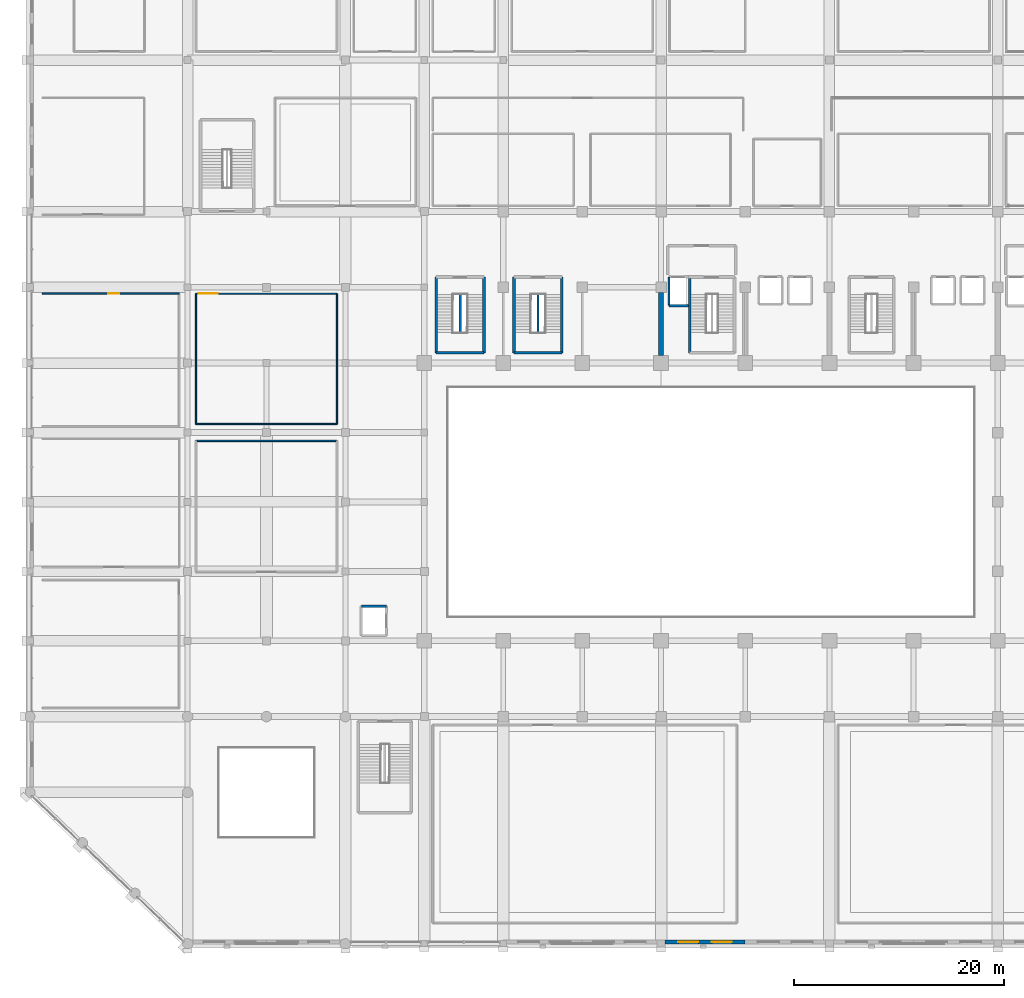
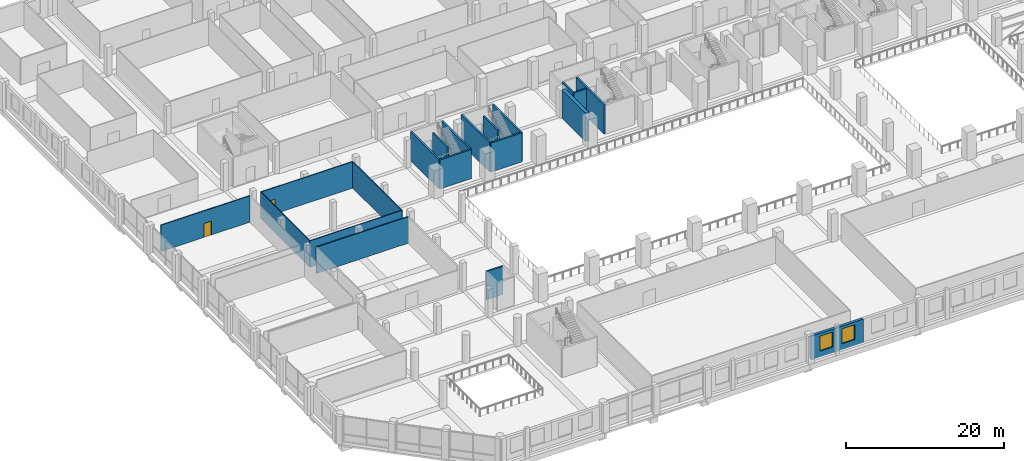
# One storey, part 41 of 64: 20 walls, 2 doors, 2 windows, 4 openings.
"""IFC4 building model written with IfcOpenShell, lengths in metres."""

from ifc_helpers import new_model, si_unit, direction, frame, frame_2d, origin, place, context, subcontext, project, spatial, rectangle, extrude, material, layer, layer_set, type_object, element, fill, save


model = new_model("IFC4")

# Units and contexts
model_context = context("Model", 3, precision=1e-05, world=origin(), true_north=direction((0.0, 1.0)))
body_context = subcontext(model_context, "Body", "Model", "MODEL_VIEW")
ifc_project = project(units=[si_unit("LENGTHUNIT", "METRE"), si_unit("AREAUNIT", "SQUARE_METRE"), si_unit("VOLUMEUNIT", "CUBIC_METRE"), si_unit("PLANEANGLEUNIT", "RADIAN"), si_unit("MASSUNIT", "GRAM", prefix="KILO")], contexts=[model_context])

# Site, building, storey
site_placement = place(None, origin())
site = spatial("IfcSite", under=ifc_project, at=site_placement, CompositionType="ELEMENT")
building_placement = place(site_placement, origin())
building = spatial("IfcBuilding", under=site, at=building_placement, Name="Akrevak Sports Hall", CompositionType="ELEMENT")
storey_placement = place(building_placement, frame((0.0, 0.0, 4.60009765625)))
storey = spatial("IfcBuildingStorey", under=building, at=storey_placement, Name="L01", CompositionType="ELEMENT", Elevation=4.60009765625)

# Wall, openings, windows
ifc_material_1 = material(Name="Limestone Ashlar", Category="stone")
ifc_layer_1 = layer(ifc_material_1, 0.080078125, Name="Limestone Ashlar")
ifc_material_2 = material(Name="Mineral Wool Thermal Insulation", Category="insulation")
ifc_layer_2 = layer(ifc_material_2, 0.10009765625, Name="Mineral Wool Thermal Insulation")
ifc_material_3 = material(Name="Concrete C40/50", Category="concrete")
ifc_layer_3 = layer(ifc_material_3, 0.199951171875, Name="Concrete C40/50")
ifc_layer_set_1 = layer_set([ifc_layer_1, ifc_layer_2, ifc_layer_3], Name="Limestone Ashlar / Mineral Wool Thermal Insulation / Concrete C40/50")
wall_type_1 = type_object("IfcWallType", Name="ARC-WL-EXT-380", PredefinedType="SOLIDWALL", material=ifc_layer_set_1)
wall_1_placement = place(storey_placement, frame((60.375, 0.18994140625, 0.0), z_axis=(0.0, 0.0, 1.0), x_axis=(1.0, 0.0, 0.0)))
wall_1 = element("IfcWall", 1, at=wall_1_placement, inside=storey, type_object=wall_type_1, Name="Exterior Limestone Wall L01-S07", PredefinedType="SOLIDWALL", context=body_context, shape_type="SweptSolid", body=[
    extrude(rectangle(XDim=7.625, YDim=0.3798828125, at=frame_2d((3.8125, 0.0))), origin(), (0.0, 0.0, 1.0), 3.64990234375),
])
opening_1_placement = place(wall_1_placement, frame((1.26123046875, 0.0, 0.919921875)))
opening_1 = element("IfcOpeningElement", 2, at=opening_1_placement, cuts=wall_1, Name="Opening WN-30", PredefinedType="OPENING", context=body_context, shape_type="SweptSolid", body=[
    extrude(rectangle(XDim=1.89990234375, YDim=2.300048828125, at=frame_2d((0.949951171875, 1.14990234375))), frame((0.0, 0.201904296875, 0.0), z_axis=(0.0, -1.0, 0.0), x_axis=(1.0, 0.0, 0.0)), (0.0, 0.0, 1.0), 0.40380859375),
])
opening_2_placement = place(wall_1_placement, frame((4.463623046875, 0.0, 0.919921875)))
opening_2 = element("IfcOpeningElement", 3, at=opening_2_placement, cuts=wall_1, Name="Opening WN-30", PredefinedType="OPENING", context=body_context, shape_type="SweptSolid", body=[
    extrude(rectangle(XDim=1.89990234375, YDim=2.300048828125, at=frame_2d((0.949951171875, 1.14990234375))), frame((0.0, 0.201904296875, 0.0), z_axis=(0.0, -1.0, 0.0), x_axis=(1.0, 0.0, 0.0)), (0.0, 0.0, 1.0), 0.40380859375),
])
ifc_material_4 = material(Name="Thermally Broken Bronze Frame & Double Low-E Glass", Category="glass")
window_type = type_object("IfcWindowType", Name="ARC-WIN-SZ-1900x2300", PartitioningType="SINGLE_PANEL", PredefinedType="WINDOW", material=ifc_material_4)
window_1_placement = place(opening_1_placement, origin())
window_1 = element("IfcWindow", 4, at=window_1_placement, inside=storey, type_object=window_type, Name="Beaux-Arts Facade Window WIN-L01-S07-1", OverallHeight=2.300048828125, OverallWidth=1.89990234375, PartitioningType="SINGLE_PANEL", PredefinedType="WINDOW", context=body_context, shape_type="SweptSolid", body=[
    extrude(rectangle(XDim=1.89990234375, YDim=2.300048828125, at=frame_2d((0.949951171875, 1.14990234375))), frame((0.0, 0.030029296875, 0.0), z_axis=(0.0, -1.0, 0.0), x_axis=(1.0, 0.0, 0.0)), (0.0, 0.0, 1.0), 0.06005859375),
])
fill(opening_1, window_1)
window_2_placement = place(opening_2_placement, origin())
window_2 = element("IfcWindow", 5, at=window_2_placement, inside=storey, type_object=window_type, Name="Beaux-Arts Facade Window WIN-L01-S07-2", OverallHeight=2.300048828125, OverallWidth=1.89990234375, PartitioningType="SINGLE_PANEL", PredefinedType="WINDOW", context=body_context, shape_type="SweptSolid", body=[
    extrude(rectangle(XDim=1.89990234375, YDim=2.300048828125, at=frame_2d((0.949951171875, 1.14990234375))), frame((0.0, 0.030029296875, 0.0), z_axis=(0.0, -1.0, 0.0), x_axis=(1.0, 0.0, 0.0)), (0.0, 0.0, 1.0), 0.06005859375),
])
fill(opening_2, window_2)

# Wall
ifc_material_5 = material(Name="Standard Metal Stud Partition", Category="gypsum")
ifc_layer_4 = layer(ifc_material_5, 0.1201171875, Name="Standard Metal Stud Partition")
ifc_layer_set_2 = layer_set([ifc_layer_4], Name="Standard Metal Stud Partition")
wall_type_2 = type_object("IfcWallType", Name="ARC-WL-PRT-120", PredefinedType="PARTITIONING", material=ifc_layer_set_2)
wall_2_placement = place(storey_placement, frame((15.800048828125, 49.39990234375, 0.0), z_axis=(0.0, 0.0, 1.0), x_axis=(1.0, 0.0, 0.0)))
element("IfcWall", 6, at=wall_2_placement, inside=storey, type_object=wall_type_2, Name="Interior Partition West Wing Apparatus Storage L01 (S)", PredefinedType="PARTITIONING", context=body_context, shape_type="SweptSolid", body=[
    extrude(rectangle(XDim=13.39990234375, YDim=0.1201171875, at=frame_2d((6.699951171875, 0.0))), origin(), (0.0, 0.0, 1.0), 4.079833984375),
])

# Wall, opening, door
wall_3_placement = place(storey_placement, frame((15.800048828125, 61.800048828125, 0.0), z_axis=(0.0, 0.0, 1.0), x_axis=(1.0, 0.0, 0.0)))
wall_3 = element("IfcWall", 7, at=wall_3_placement, inside=storey, type_object=wall_type_2, Name="Interior Partition West Wing Apparatus Storage L01 (N)", PredefinedType="PARTITIONING", context=body_context, shape_type="SweptSolid", body=[
    extrude(rectangle(XDim=13.39990234375, YDim=0.1201171875, at=frame_2d((6.699951171875, 0.0))), origin(), (0.0, 0.0, 1.0), 4.079833984375),
])
opening_3_placement = place(wall_3_placement, frame((0.25, 0.0, 0.0)))
opening_3 = element("IfcOpeningElement", 8, at=opening_3_placement, cuts=wall_3, Name="Opening ID-02", PredefinedType="OPENING", context=body_context, shape_type="SweptSolid", body=[
    extrude(rectangle(XDim=1.800048828125, YDim=2.25, at=frame_2d((0.89990234375, 1.125))), frame((0.0, 0.072021484375, 0.0), z_axis=(0.0, -1.0, 0.0), x_axis=(1.0, 0.0, 0.0)), (0.0, 0.0, 1.0), 0.14404296875),
])
ifc_material_6 = material(Name="Hardwood Oak & Safety Glass", Category="wood")
door_type_1 = type_object("IfcDoorType", Name="ARC-DR-HALL-180x225", OperationType="DOUBLE_DOOR_SINGLE_SWING", PredefinedType="DOOR", material=ifc_material_6)
door_1_placement = place(opening_3_placement, origin())
door_1 = element("IfcDoor", 9, at=door_1_placement, inside=storey, type_object=door_type_1, Name="Door to West Wing Apparatus Storage L01", OperationType="DOUBLE_DOOR_SINGLE_SWING", OverallHeight=2.25, OverallWidth=1.800048828125, PredefinedType="DOOR", context=body_context, shape_type="SweptSolid", body=[
    extrude(rectangle(XDim=1.800048828125, YDim=2.25, at=frame_2d((0.89990234375, 1.125))), frame((0.0, 0.02490234375, 0.0), z_axis=(0.0, -1.0, 0.0), x_axis=(1.0, 0.0, 0.0)), (0.0, 0.0, 1.0), 0.050048828125),
])
fill(opening_3, door_1)

# Walls
for number, where, z_axis, x_axis, name in (
    (10, (15.800048828125, 49.39990234375, 0.0), (0.0, 0.0, 1.0), (0.0, 1.0, 0.0), "Interior Partition West Wing Apparatus Storage L01 (W)"),
    (11, (29.199951171875, 49.39990234375, 0.0), (0.0, 0.0, 1.0), (0.0, 1.0, 0.0), "Interior Partition West Wing Apparatus Storage L01 (E)"),
):
    element("IfcWall", number, at=place(storey_placement, frame(where, z_axis=z_axis, x_axis=x_axis)), inside=storey, type_object=wall_type_2, Name=name, PredefinedType="PARTITIONING", context=body_context, shape_type="SweptSolid", body=[
        extrude(rectangle(XDim=12.400146484375, YDim=0.1201171875, at=frame_2d((6.2001953125, 0.0))), origin(), (0.0, 0.0, 1.0), 4.079833984375),
    ])

# Wall, opening, door
ifc_material_7 = material(Name="Acoustic Metal Stud Partition", Category="gypsum")
ifc_layer_5 = layer(ifc_material_7, 0.1298828125, Name="Acoustic Metal Stud Partition")
ifc_layer_set_3 = layer_set([ifc_layer_5], Name="Acoustic Metal Stud Partition")
wall_type_3 = type_object("IfcWallType", Name="ARC-WL-PRT-130", PredefinedType="PARTITIONING", material=ifc_layer_set_3)
wall_4_placement = place(storey_placement, frame((1.199951171875, 61.800048828125, 0.0), z_axis=(0.0, 0.0, 1.0), x_axis=(1.0, 0.0, 0.0)))
wall_4 = element("IfcWall", 12, at=wall_4_placement, inside=storey, type_object=wall_type_3, Name="Interior Partition West Boulevard Federation Office L01-2 (N)", PredefinedType="PARTITIONING", context=body_context, shape_type="SweptSolid", body=[
    extrude(rectangle(XDim=13.0, YDim=0.1298828125, at=frame_2d((6.5, 0.0))), origin(), (0.0, 0.0, 1.0), 4.079833984375),
])
opening_4_placement = place(wall_4_placement, frame((6.27490234375, 0.0, 0.0)))
opening_4 = element("IfcOpeningElement", 13, at=opening_4_placement, cuts=wall_4, Name="Opening ID-05", PredefinedType="OPENING", context=body_context, shape_type="SweptSolid", body=[
    extrude(rectangle(XDim=1.050048828125, YDim=2.14990234375, at=frame_2d((0.52490234375, 1.074951171875))), frame((0.0, 0.076904296875, 0.0), z_axis=(0.0, -1.0, 0.0), x_axis=(1.0, 0.0, 0.0)), (0.0, 0.0, 1.0), 0.15380859375),
])
ifc_material_8 = material(Name="Hardwood Oak Acoustic Leaf", Category="wood")
door_type_2 = type_object("IfcDoorType", Name="ARC-DR-OFF-105x215", OperationType="NOTDEFINED", PredefinedType="DOOR", material=ifc_material_8)
door_2_placement = place(opening_4_placement, origin())
door_2 = element("IfcDoor", 14, at=door_2_placement, inside=storey, type_object=door_type_2, Name="Door to West Boulevard Federation Office L01-2", OperationType="SINGLE_SWING_LEFT", OverallHeight=2.14990234375, OverallWidth=1.050048828125, PredefinedType="DOOR", context=body_context, shape_type="SweptSolid", body=[
    extrude(rectangle(XDim=1.050048828125, YDim=2.14990234375, at=frame_2d((0.52490234375, 1.074951171875))), frame((0.0, 0.02490234375, 0.0), z_axis=(0.0, -1.0, 0.0), x_axis=(1.0, 0.0, 0.0)), (0.0, 0.0, 1.0), 0.050048828125),
])
fill(opening_4, door_2)

# Walls
ifc_material_9 = material(Name="Double Stud Acoustic Gypsum Partition", Category="gypsum")
ifc_layer_6 = layer(ifc_material_9, 0.14990234375, Name="Double Stud Acoustic Gypsum Partition")
ifc_layer_set_4 = layer_set([ifc_layer_6], Name="Double Stud Acoustic Gypsum Partition")
wall_type_4 = type_object("IfcWallType", Name="ARC-WL-PRT-150", PredefinedType="PARTITIONING", material=ifc_layer_set_4)
wall_5_placement = place(storey_placement, frame((15.800048828125, 47.800048828125, 0.0), z_axis=(0.0, 0.0, 1.0), x_axis=(1.0, 0.0, 0.0)))
element("IfcWall", 15, at=wall_5_placement, inside=storey, type_object=wall_type_4, Name="Interior Partition West Wing Athletic Conditioning Studio L01 (N)", PredefinedType="PARTITIONING", context=body_context, shape_type="SweptSolid", body=[
    extrude(rectangle(XDim=13.39990234375, YDim=0.14990234375, at=frame_2d((6.699951171875, 0.0))), origin(), (0.0, 0.0, 1.0), 4.079833984375),
])
ifc_layer_7 = layer(ifc_material_3, 0.219970703125, Name="Concrete C40/50")
ifc_layer_set_5 = layer_set([ifc_layer_7], Name="Concrete C40/50")
wall_type_5 = type_object("IfcWallType", Name="ARC-WL-PRT-220", PredefinedType="PARTITIONING", material=ifc_layer_set_5)
for number, where, z_axis, x_axis, name in (
    (16, (48.300048828125, 58.094970703125, 0.0), (0.0, 0.0, 1.0), (0.0, 1.0, 0.0), "Stair ST4 Central Spine Wall (L01)"),
    (17, (40.89990234375, 58.094970703125, 0.0), (0.0, 0.0, 1.0), (0.0, 1.0, 0.0), "Stair ST9 Central Spine Wall (L01)"),
):
    element("IfcWall", number, at=place(storey_placement, frame(where, z_axis=z_axis, x_axis=x_axis)), inside=storey, type_object=wall_type_5, Name=name, PredefinedType="PARTITIONING", context=body_context, shape_type="SweptSolid", body=[
        extrude(rectangle(XDim=3.64013671875, YDim=0.219970703125, at=frame_2d((1.820068359375, 0.0))), origin(), (0.0, 0.0, 1.0), 4.47998046875),
    ])
ifc_material_10 = material(Name="Concrete C50/60", Category="concrete")
ifc_layer_8 = layer(ifc_material_10, 0.219970703125, Name="Concrete C50/60")
ifc_layer_set_6 = layer_set([ifc_layer_8], Name="Concrete C50/60")
wall_type_6 = type_object("IfcWallType", Name="ARC-WL-SHAFT-220", PredefinedType="SHEAR", material=ifc_layer_set_6)
wall_6_placement = place(storey_placement, frame((60.760009765625, 60.659912109375, 0.0), z_axis=(0.0, 0.0, 1.0), x_axis=(1.0, 0.0, 0.0)))
element("IfcWall", 18, at=wall_6_placement, inside=storey, type_object=wall_type_6, Name="Lift Shaft LF-FF1 Wall S (L01)", PredefinedType="SHEAR", context=body_context, shape_type="SweptSolid", body=[
    extrude(rectangle(XDim=1.840087890625, YDim=0.219970703125, at=frame_2d((0.919921875, 0.0))), origin(), (0.0, 0.0, 1.0), 4.349853515625),
])
wall_7_placement = place(storey_placement, frame((60.760009765625, 63.389892578125, 0.0), z_axis=(0.0, 0.0, 1.0), x_axis=(0.0, -1.0, 0.0)))
element("IfcWall", 19, at=wall_7_placement, inside=storey, type_object=wall_type_6, Name="Lift Shaft LF-FF1 Wall W (L01)", PredefinedType="SHEAR", context=body_context, shape_type="SweptSolid", body=[
    extrude(rectangle(XDim=2.72998046875, YDim=0.219970703125, at=frame_2d((1.364990234375, 0.0))), origin(), (0.0, 0.0, 1.0), 4.349853515625),
])
wall_8_placement = place(storey_placement, frame((33.889892578125, 32.090087890625, 0.0), z_axis=(0.0, 0.0, 1.0), x_axis=(-1.0, 0.0, 0.0)))
element("IfcWall", 20, at=wall_8_placement, inside=storey, type_object=wall_type_6, Name="Lift Shaft LF-G1 Wall N (L01)", PredefinedType="SHEAR", context=body_context, shape_type="SweptSolid", body=[
    extrude(rectangle(XDim=2.3798828125, YDim=0.219970703125, at=frame_2d((1.18994140625, 0.0))), origin(), (0.0, 0.0, 1.0), 4.349853515625),
])
ifc_layer_9 = layer(ifc_material_10, 0.5, Name="Concrete C50/60")
ifc_layer_set_7 = layer_set([ifc_layer_9], Name="Concrete C50/60")
wall_type_7 = type_object("IfcWallType", Name="STR-WL-CORE-500", PredefinedType="SHEAR", material=ifc_layer_set_7)
wall_9_placement = place(storey_placement, frame((60.0, 55.89990234375, 0.0), z_axis=(0.0, 0.0, 1.0), x_axis=(0.0, 1.0, 0.0)))
element("IfcWall", 21, at=wall_9_placement, inside=storey, type_object=wall_type_7, Name="Reinforced Concrete Shear Wall SW-W2 (L01)", PredefinedType="SHEAR", context=body_context, shape_type="SweptSolid", body=[
    extrude(rectangle(XDim=6.0, YDim=0.5, at=frame_2d((3.0, 0.0))), origin(), (0.0, 0.0, 1.0), 4.349853515625),
])
ifc_layer_10 = layer(ifc_material_10, 0.25, Name="Concrete C50/60")
ifc_layer_set_8 = layer_set([ifc_layer_10], Name="Concrete C50/60")
wall_type_8 = type_object("IfcWallType", Name="STR-WL-STAIR-250", PredefinedType="SHEAR", material=ifc_layer_set_8)
wall_10_placement = place(storey_placement, frame((62.72509765625, 63.25, 0.0), z_axis=(0.0, 0.0, 1.0), x_axis=(0.0, -1.0, 0.0)))
element("IfcWall", 22, at=wall_10_placement, inside=storey, type_object=wall_type_8, Name="Stair Core ST1 Shear Wall W (L01)", PredefinedType="SHEAR", context=body_context, shape_type="SweptSolid", body=[
    extrude(rectangle(XDim=7.074951171875, YDim=0.25, at=frame_2d((3.53759765625, 0.0))), origin(), (0.0, 0.0, 1.0), 4.47998046875),
])
wall_11_placement = place(storey_placement, frame((46.02490234375, 56.175048828125, 0.0), z_axis=(0.0, 0.0, 1.0), x_axis=(1.0, 0.0, 0.0)))
element("IfcWall", 23, at=wall_11_placement, inside=storey, type_object=wall_type_8, Name="Stair Core ST4 Shear Wall S (L01)", PredefinedType="SHEAR", context=body_context, shape_type="SweptSolid", body=[
    extrude(rectangle(XDim=4.550048828125, YDim=0.25, at=frame_2d((2.27490234375, 0.0))), origin(), (0.0, 0.0, 1.0), 4.47998046875),
])
for number, where, z_axis, x_axis, name in (
    (24, (46.02490234375, 63.375, 0.0), (0.0, 0.0, 1.0), (0.0, -1.0, 0.0), "Stair Core ST4 Shear Wall W (L01)"),
    (25, (50.574951171875, 56.175048828125, 0.0), (0.0, 0.0, 1.0), (0.0, 1.0, 0.0), "Stair Core ST4 Shear Wall E (L01)"),
):
    element("IfcWall", number, at=place(storey_placement, frame(where, z_axis=z_axis, x_axis=x_axis)), inside=storey, type_object=wall_type_8, Name=name, PredefinedType="SHEAR", context=body_context, shape_type="SweptSolid", body=[
        extrude(rectangle(XDim=7.199951171875, YDim=0.25, at=frame_2d((3.60009765625, 0.0))), origin(), (0.0, 0.0, 1.0), 4.47998046875),
    ])
wall_12_placement = place(storey_placement, frame((38.625, 56.175048828125, 0.0), z_axis=(0.0, 0.0, 1.0), x_axis=(1.0, 0.0, 0.0)))
element("IfcWall", 26, at=wall_12_placement, inside=storey, type_object=wall_type_8, Name="Stair Core ST9 Shear Wall S (L01)", PredefinedType="SHEAR", context=body_context, shape_type="SweptSolid", body=[
    extrude(rectangle(XDim=4.550048828125, YDim=0.25, at=frame_2d((2.27490234375, 0.0))), origin(), (0.0, 0.0, 1.0), 4.47998046875),
])
for number, where, z_axis, x_axis, name in (
    (27, (38.625, 63.375, 0.0), (0.0, 0.0, 1.0), (0.0, -1.0, 0.0), "Stair Core ST9 Shear Wall W (L01)"),
    (28, (43.175048828125, 56.175048828125, 0.0), (0.0, 0.0, 1.0), (0.0, 1.0, 0.0), "Stair Core ST9 Shear Wall E (L01)"),
):
    element("IfcWall", number, at=place(storey_placement, frame(where, z_axis=z_axis, x_axis=x_axis)), inside=storey, type_object=wall_type_8, Name=name, PredefinedType="SHEAR", context=body_context, shape_type="SweptSolid", body=[
        extrude(rectangle(XDim=7.199951171875, YDim=0.25, at=frame_2d((3.60009765625, 0.0))), origin(), (0.0, 0.0, 1.0), 4.47998046875),
    ])

save(model, "model.ifc")
